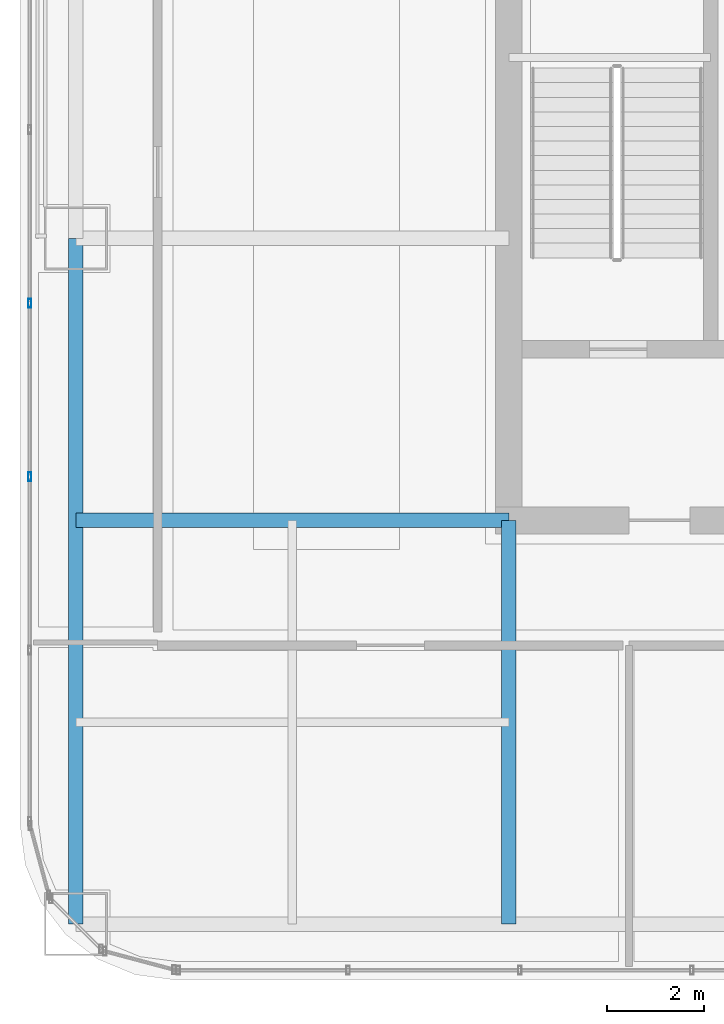
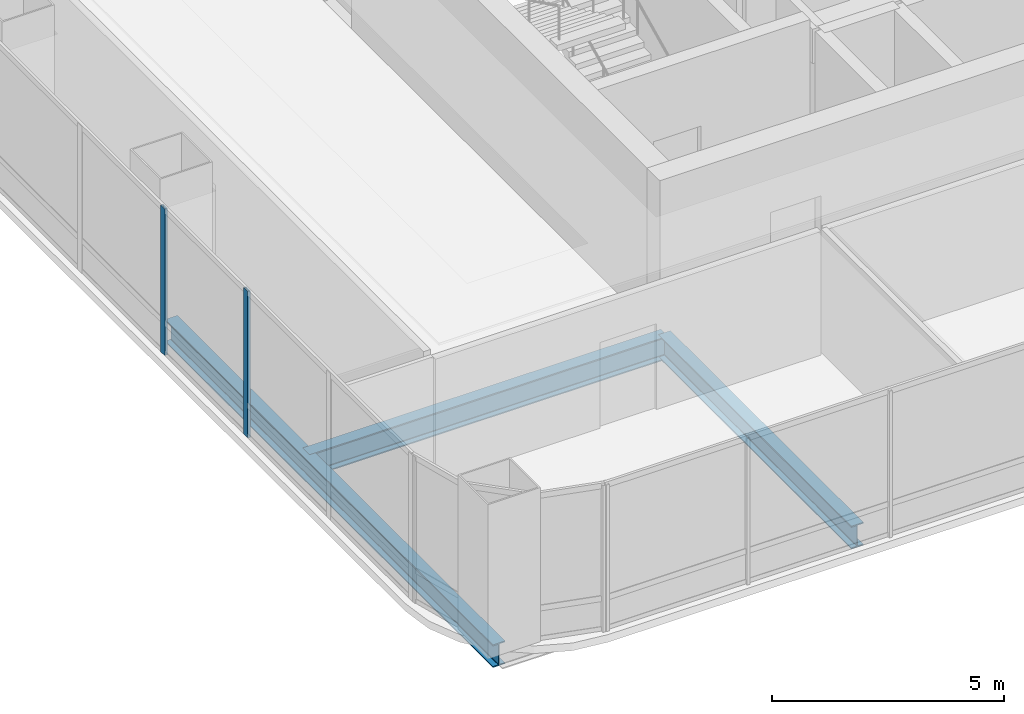
# One storey, part 4 of 42: 3 beams, 2 members, 1 element without a shape of its own.
"""IFC4 building model written with IfcOpenShell, lengths in metres."""

from ifc_helpers import new_model, si_unit, direction, frame, origin, origin_2d, place, context, subcontext, project, spatial, hollow_rectangle, i_section, extrude, material, material_profile, profile_set, type_object, element, aggregate, save


model = new_model("IFC4")

# Units and contexts
model_context = context("Model", 3, precision=1e-05, world=origin(), true_north=direction((0.0, 1.0)))
body_context = subcontext(model_context, "Body", "Model", "MODEL_VIEW")
ifc_project = project(units=[si_unit("LENGTHUNIT", "METRE"), si_unit("AREAUNIT", "SQUARE_METRE"), si_unit("VOLUMEUNIT", "CUBIC_METRE"), si_unit("PLANEANGLEUNIT", "RADIAN"), si_unit("MASSUNIT", "GRAM", prefix="KILO")], contexts=[model_context])

# Site, building, storey
site_placement = place(None, origin())
site = spatial("IfcSite", under=ifc_project, at=site_placement, CompositionType="ELEMENT")
building_placement = place(site_placement, origin())
building = spatial("IfcBuilding", under=site, at=building_placement, Name="Punatoya Terracotta Tower", CompositionType="ELEMENT")
storey_placement = place(building_placement, frame((0.0, 0.0, 263.550048828125)))
storey = spatial("IfcBuildingStorey", under=building, at=storey_placement, Name="L62", CompositionType="ELEMENT", Elevation=263.550048828125)

# Beams
ifc_material_1 = material(Name="Steel S355", Category="steel")
ifc_material_profile_1 = material_profile(ifc_material_1, i_section(OverallWidth=0.300048828125, OverallDepth=0.60009765625, WebThickness=0.015380859375, FlangeThickness=0.030029296875, FilletRadius=0.01806640625, at=origin_2d()))
ifc_profile_set_1 = profile_set([ifc_material_profile_1], Name="Steel S355")
beam_type = type_object("IfcBeamType", Name="BM-PRI-600", PredefinedType="BEAM", material=ifc_profile_set_1)
beam_1_placement = place(storey_placement, frame((-19.10009765625, -17.5, -0.5), z_axis=(0.0, 1.0, 0.0), x_axis=(-1.0, 0.0, 0.0)))
element("IfcBeam", 1, at=beam_1_placement, inside=storey, type_object=beam_type, Name="BM-L62-RG-W1", PredefinedType="BEAM", context=body_context, shape_type="SweptSolid", body=[
    extrude(i_section(OverallWidth=0.300048828125, OverallDepth=0.60009765625, WebThickness=0.015380859375, FlangeThickness=0.030029296875, FilletRadius=0.01806640625, at=origin_2d()), origin(), (0.0, 0.0, 1.0), 14.10009765625),
])
beam_2_placement = place(storey_placement, frame((-19.10009765625, -9.199951171875, -0.5), z_axis=(1.0, 0.0, 0.0), x_axis=(0.0, 1.0, 0.0)))
element("IfcBeam", 2, at=beam_2_placement, inside=storey, type_object=beam_type, Name="BM-L62-PR-WS", PredefinedType="BEAM", context=body_context, shape_type="SweptSolid", body=[
    extrude(i_section(OverallWidth=0.300048828125, OverallDepth=0.60009765625, WebThickness=0.015380859375, FlangeThickness=0.030029296875, FilletRadius=0.01806640625, at=origin_2d()), origin(), (0.0, 0.0, 1.0), 8.900146484375),
])
beam_3_placement = place(storey_placement, frame((-10.199951171875, -17.5, -0.5), z_axis=(0.0, 1.0, 0.0), x_axis=(-1.0, 0.0, 0.0)))
element("IfcBeam", 3, at=beam_3_placement, inside=storey, type_object=beam_type, Name="BM-L62-PR-S1", PredefinedType="BEAM", context=body_context, shape_type="SweptSolid", body=[
    extrude(i_section(OverallWidth=0.300048828125, OverallDepth=0.60009765625, WebThickness=0.015380859375, FlangeThickness=0.030029296875, FilletRadius=0.01806640625, at=origin_2d()), origin(), (0.0, 0.0, 1.0), 8.300048828125),
])

# Curtain wall, members
ifc_material_2 = material(Name="Aluminium 6063-T6 + Double Low-E Glass", Category="aluminium")
curtain_wall_type = type_object("IfcCurtainWallType", Name="CW-M3", PredefinedType="NOTDEFINED", material=ifc_material_2)
curtain_wall_placement = place(storey_placement, origin())
curtain_wall = element("IfcCurtainWall", 4, at=curtain_wall_placement, inside=storey, type_object=curtain_wall_type, Name="L62 Curtain Wall CW-L62-W13-1", PredefinedType="NOTDEFINED")
ifc_material_3 = material(Name="Aluminium 6063-T6", Category="aluminium")
ifc_material_profile_2 = material_profile(ifc_material_3, hollow_rectangle(XDim=0.070068359375, YDim=0.179931640625, WallThickness=0.00390625, at=origin_2d()))
ifc_profile_set_2 = profile_set([ifc_material_profile_2], Name="Aluminium 6063-T6")
member_type = type_object("IfcMemberType", Name="CW-MUL-M3", PredefinedType="MULLION", material=ifc_profile_set_2)
member_1_placement = place(storey_placement, frame((-20.050048828125, -4.73486328125, 0.0), z_axis=(0.0, 0.0, 1.0), x_axis=(1.0, 0.0, 0.0)))
member_1 = element("IfcMember", 5, at=member_1_placement, type_object=member_type, Name="CW-L62-W13-1 Mullion 07", PredefinedType="MULLION", context=body_context, shape_type="SweptSolid", body=[
    extrude(hollow_rectangle(XDim=0.070068359375, YDim=0.179931640625, WallThickness=0.00390625, at=origin_2d()), origin(), (0.0, 0.0, 1.0), 3.849853515625),
])
member_2_placement = place(storey_placement, frame((-20.050048828125, -8.302001953125, 0.0), z_axis=(0.0, 0.0, 1.0), x_axis=(1.0, 0.0, 0.0)))
member_2 = element("IfcMember", 6, at=member_2_placement, type_object=member_type, Name="CW-L62-W13-1 Mullion 08", PredefinedType="MULLION", context=body_context, shape_type="SweptSolid", body=[
    extrude(hollow_rectangle(XDim=0.070068359375, YDim=0.179931640625, WallThickness=0.00390625, at=origin_2d()), origin(), (0.0, 0.0, 1.0), 3.849853515625),
])
aggregate(curtain_wall, [member_1, member_2])

save(model, "model.ifc")
